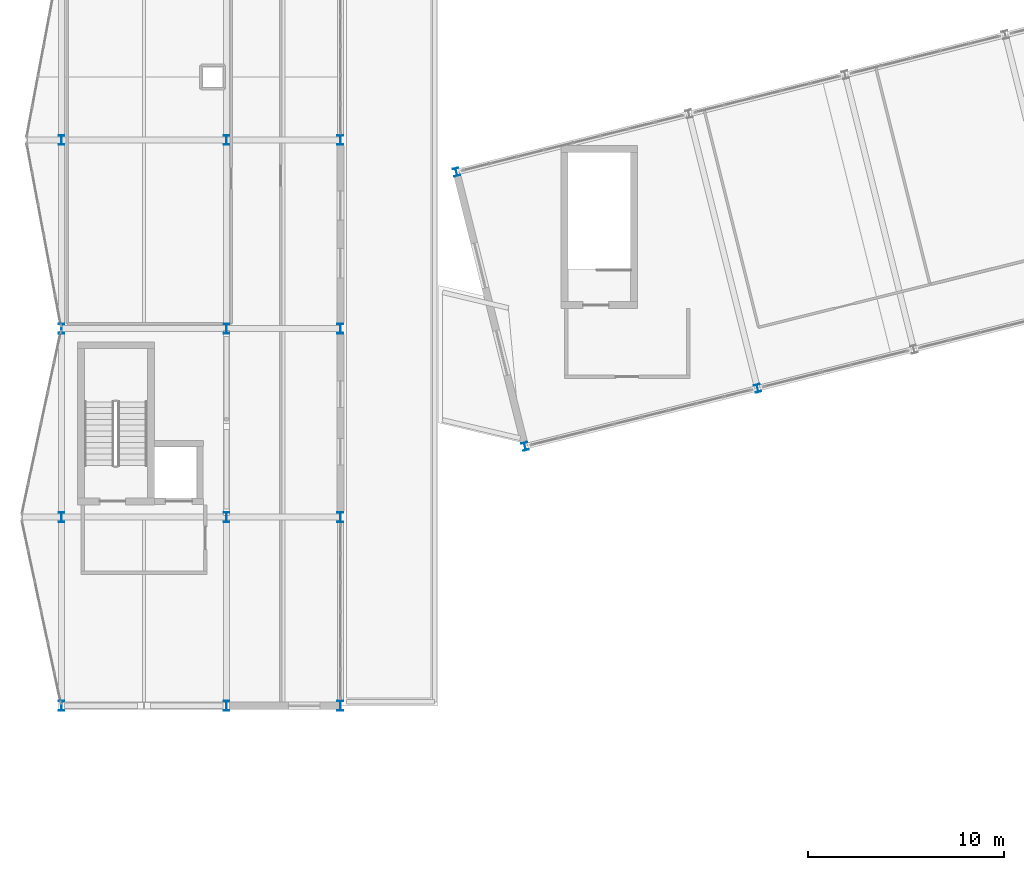
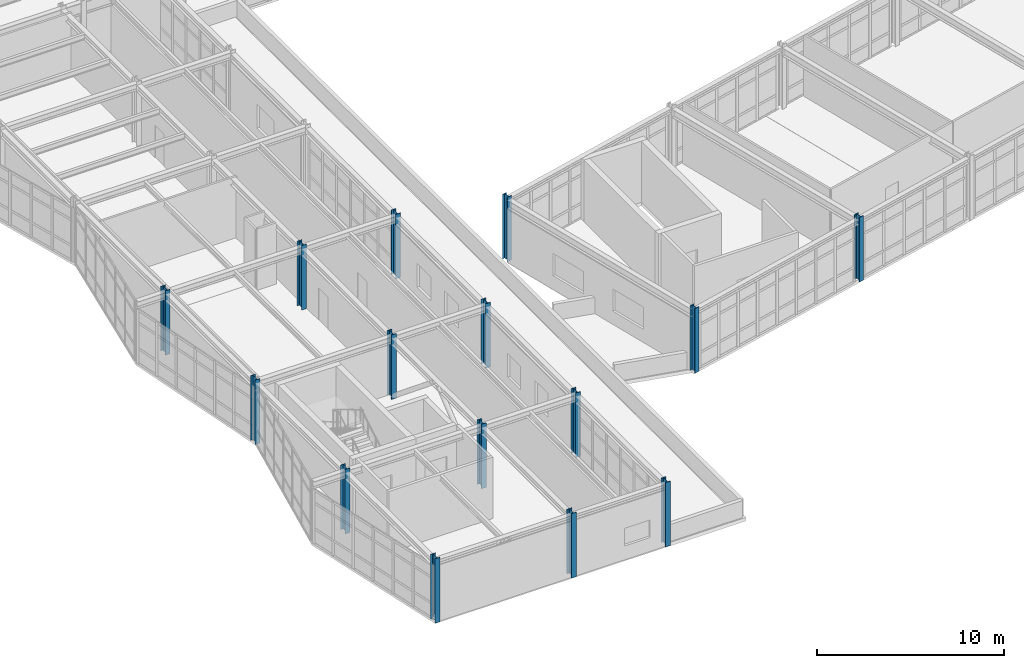
# One storey, part 1 of 64: 15 columns.
"""IFC4 building model written with IfcOpenShell, lengths in metres."""

from ifc_helpers import new_model, si_unit, direction, frame, origin, origin_2d, place, context, subcontext, project, spatial, i_section, extrude, material, material_profile, profile_set, type_object, element, save


model = new_model("IFC4")

# Units and contexts
model_context = context("Model", 3, precision=1e-05, world=origin(), true_north=direction((0.0, 1.0)))
body_context = subcontext(model_context, "Body", "Model", "MODEL_VIEW")
ifc_project = project(units=[si_unit("LENGTHUNIT", "METRE"), si_unit("AREAUNIT", "SQUARE_METRE"), si_unit("VOLUMEUNIT", "CUBIC_METRE"), si_unit("PLANEANGLEUNIT", "RADIAN"), si_unit("MASSUNIT", "GRAM", prefix="KILO")], contexts=[model_context])

# Site, building, storey
site_placement = place(None, origin())
site = spatial("IfcSite", under=ifc_project, at=site_placement, CompositionType="ELEMENT")
building_placement = place(site_placement, origin())
building = spatial("IfcBuilding", under=site, at=building_placement, Name="Nordkorset Police Headquarters", CompositionType="ELEMENT")
storey_placement = place(building_placement, frame((0.0, 0.0, 17.85009765625)))
storey = spatial("IfcBuildingStorey", under=building, at=storey_placement, Name="L04", CompositionType="ELEMENT", Elevation=17.85009765625)

# Columns
ifc_material_1 = material(Name="Steel S355J2", Category="steel")
ifc_material_profile_1 = material_profile(ifc_material_1, i_section(OverallWidth=0.300048828125, OverallDepth=0.39990234375, WebThickness=0.013427734375, FlangeThickness=0.02392578125, FilletRadius=0.027099609375, at=origin_2d()), Name="HEB 400")
ifc_profile_set_1 = profile_set([ifc_material_profile_1], Name="Steel S355J2")
column_type_1 = type_object("IfcColumnType", Name="Col_HEB_400", PredefinedType="COLUMN", material=ifc_profile_set_1)
for number, where, z_axis, x_axis, name in (
    (1, (23.60009765625, 42.0, 0.0), (0.0, 0.0, 1.0), (0.970142500145, 0.242535625038, 0.0), "Structural Column V4_U0_V0 L04"),
    (2, (20.107421875, 55.969970703125, 0.0), (0.0, 0.0, 1.0), (0.970142500145, 0.242535625038, 0.0), "Structural Column V4_U0_V1 L04"),
    (3, (35.435791015625, 44.958984375, 0.0), (0.0, 0.0, 1.0), (0.970142500145, 0.242535625038, 0.0), "Structural Column V4_U1_V0 L04"),
):
    element("IfcColumn", number, at=place(storey_placement, frame(where, z_axis=z_axis, x_axis=x_axis)), inside=storey, type_object=column_type_1, Name=name, PredefinedType="COLUMN", context=body_context, shape_type="SweptSolid", body=[
        extrude(i_section(OverallWidth=0.300048828125, OverallDepth=0.39990234375, WebThickness=0.013427734375, FlangeThickness=0.02392578125, FilletRadius=0.027099609375, at=origin_2d()), origin(), (0.0, 0.0, 1.0), 4.199951171875),
    ])
ifc_material_2 = material(Name="Steel S355J2", Category="steel")
ifc_material_profile_2 = material_profile(ifc_material_2, i_section(OverallWidth=0.300048828125, OverallDepth=0.5, WebThickness=0.014404296875, FlangeThickness=0.028076171875, FilletRadius=0.027099609375, at=origin_2d()), Name="HEB 500")
ifc_profile_set_2 = profile_set([ifc_material_profile_2], Name="Steel S355J2")
column_type_2 = type_object("IfcColumnType", Name="Col_HEB_500", PredefinedType="COLUMN", material=ifc_profile_set_2)
for number, where, z_axis, x_axis, name in (
    (4, (0.0, 28.800048828125, 0.0), (0.0, 0.0, 1.0), (1.0, 0.0, 0.0), "Structural Column V3_X0_0 L04"),
    (5, (8.39990234375, 28.800048828125, 0.0), (0.0, 0.0, 1.0), (1.0, 0.0, 0.0), "Structural Column V3_X1_0 L04"),
    (6, (14.199951171875, 28.800048828125, 0.0), (0.0, 0.0, 1.0), (1.0, 0.0, 0.0), "Structural Column V3_X2_0 L04"),
    (7, (0.0, 38.39990234375, 0.0), (0.0, 0.0, 1.0), (1.0, 0.0, 0.0), "Structural Column V3_X0_1 L04"),
    (8, (8.39990234375, 38.39990234375, 0.0), (0.0, 0.0, 1.0), (1.0, 0.0, 0.0), "Structural Column V3_X1_1 L04"),
    (9, (14.199951171875, 38.39990234375, 0.0), (0.0, 0.0, 1.0), (1.0, 0.0, 0.0), "Structural Column V3_X2_1 L04"),
    (10, (0.0, 48.0, 0.0), (0.0, 0.0, 1.0), (1.0, 0.0, 0.0), "Structural Column V3_X0_2 L04"),
    (11, (8.39990234375, 48.0, 0.0), (0.0, 0.0, 1.0), (1.0, 0.0, 0.0), "Structural Column V3_X1_2 L04"),
    (12, (14.199951171875, 48.0, 0.0), (0.0, 0.0, 1.0), (1.0, 0.0, 0.0), "Structural Column V3_X2_2 L04"),
    (13, (0.0, 57.60009765625, 0.0), (0.0, 0.0, 1.0), (1.0, 0.0, 0.0), "Structural Column V3_X0_3 L04"),
    (14, (8.39990234375, 57.60009765625, 0.0), (0.0, 0.0, 1.0), (1.0, 0.0, 0.0), "Structural Column V3_X1_3 L04"),
    (15, (14.199951171875, 57.60009765625, 0.0), (0.0, 0.0, 1.0), (1.0, 0.0, 0.0), "Structural Column V3_X2_3 L04"),
):
    element("IfcColumn", number, at=place(storey_placement, frame(where, z_axis=z_axis, x_axis=x_axis)), inside=storey, type_object=column_type_2, Name=name, PredefinedType="COLUMN", context=body_context, shape_type="SweptSolid", body=[
        extrude(i_section(OverallWidth=0.300048828125, OverallDepth=0.5, WebThickness=0.014404296875, FlangeThickness=0.028076171875, FilletRadius=0.027099609375, at=origin_2d()), origin(), (0.0, 0.0, 1.0), 4.199951171875),
    ])

save(model, "model.ifc")
